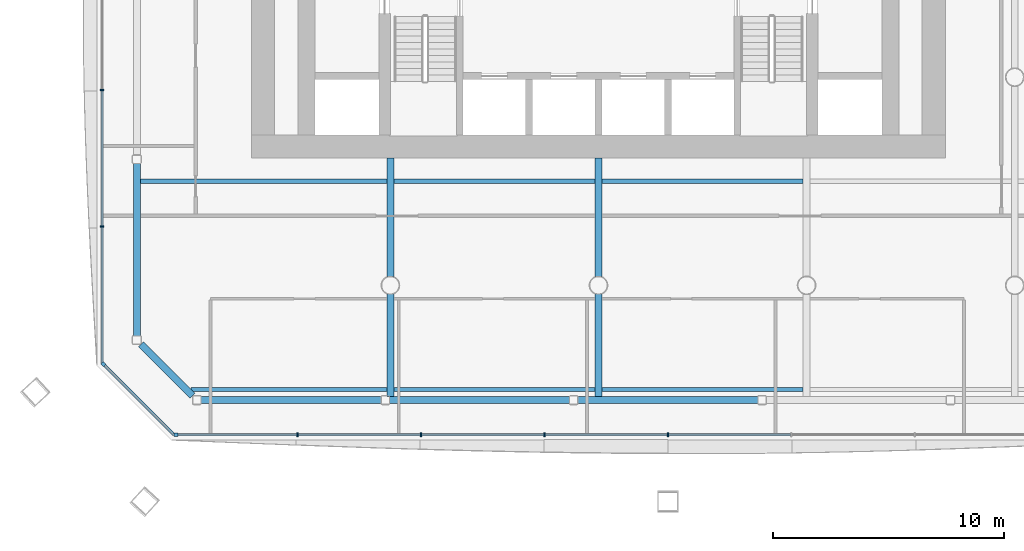
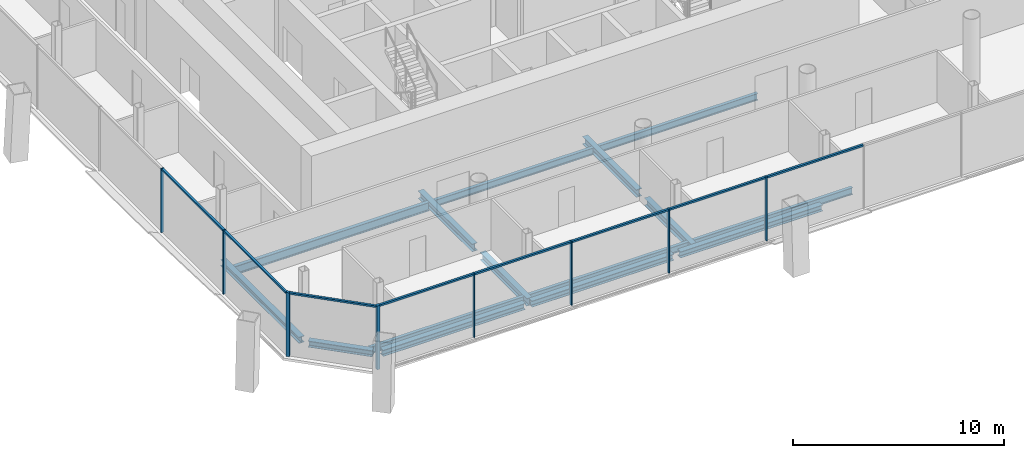
# One storey, part 3 of 19: 16 members, 15 beams, 3 elements without a shape of their own.
"""IFC4 building model written with IfcOpenShell, lengths in metres."""

from ifc_helpers import new_model, si_unit, direction, frame, origin, origin_2d, place, context, subcontext, project, spatial, rectangle, i_section, extrude, material, material_profile, profile_set, type_object, element, aggregate, save


model = new_model("IFC4")

# Units and contexts
model_context = context("Model", 3, precision=1e-05, world=origin(), true_north=direction((0.0, 1.0)))
body_context = subcontext(model_context, "Body", "Model", "MODEL_VIEW")
ifc_project = project(units=[si_unit("LENGTHUNIT", "METRE"), si_unit("AREAUNIT", "SQUARE_METRE"), si_unit("VOLUMEUNIT", "CUBIC_METRE"), si_unit("PLANEANGLEUNIT", "RADIAN"), si_unit("MASSUNIT", "GRAM", prefix="KILO")], contexts=[model_context])

# Site, building, storey
site_placement = place(None, origin())
site = spatial("IfcSite", under=ifc_project, at=site_placement, CompositionType="ELEMENT")
building_placement = place(site_placement, origin())
building = spatial("IfcBuilding", under=site, at=building_placement, Name="Tskaro Facet Tower", CompositionType="ELEMENT")
storey_placement = place(building_placement, frame((0.0, 0.0, 89.39990234375)))
storey = spatial("IfcBuildingStorey", under=building, at=storey_placement, Name="L21", CompositionType="ELEMENT", Elevation=89.39990234375)

# Curtain wall, member
ifc_material_1 = material(Name="Bronze anodised aluminium 6063-T6", Category="aluminium")
curtain_wall_type = type_object("IfcCurtainWallType", Name="Bronze office curtain wall (FW1)", PredefinedType="NOTDEFINED", material=ifc_material_1)
curtain_wall_1_placement = place(storey_placement, origin())
curtain_wall_1 = element("IfcCurtainWall", 1, at=curtain_wall_1_placement, inside=storey, type_object=curtain_wall_type, Name="FW1 south facet L21", PredefinedType="NOTDEFINED")
ifc_material_profile_1 = material_profile(ifc_material_1, rectangle(XDim=0.159912109375, YDim=0.159912109375, at=origin_2d()), Name="Corner post 160x160")
ifc_profile_set_1 = profile_set([ifc_material_profile_1], Name="Bronze anodised aluminium 6063-T6")
member_type_1 = type_object("IfcMemberType", Name="FW1 bronze corner post 160x160", PredefinedType="MULLION", material=ifc_profile_set_1)
member_1_placement = place(storey_placement, frame((-18.26806640625, -24.462890625, 0.0), z_axis=(0.0, 0.0, 1.0), x_axis=(1.0, 0.0, 0.0)))
member_1 = element("IfcMember", 2, at=member_1_placement, type_object=member_type_1, Name="FW1 south corner post", PredefinedType="MULLION", context=body_context, shape_type="SweptSolid", body=[
    extrude(rectangle(XDim=0.159912109375, YDim=0.159912109375, at=origin_2d()), origin(), (0.0, 0.0, 1.0), 3.7001953125),
])

curtain_wall_2_placement = place(storey_placement, origin())
curtain_wall_2 = element("IfcCurtainWall", 3, at=curtain_wall_2_placement, inside=storey, type_object=curtain_wall_type, Name="FW1 south-west facet L21", PredefinedType="NOTDEFINED")
member_2_placement = place(storey_placement, frame((-21.406494140625, -21.404541015625, 0.0), z_axis=(0.0, 0.0, 1.0), x_axis=(0.707106781187, -0.707106781187, 0.0)))
member_2 = element("IfcMember", 4, at=member_2_placement, type_object=member_type_1, Name="FW1 south-west corner post", PredefinedType="MULLION", context=body_context, shape_type="SweptSolid", body=[
    extrude(rectangle(XDim=0.159912109375, YDim=0.159912109375, at=origin_2d()), origin(), (0.0, 0.0, 1.0), 3.7001953125),
])

# Member
ifc_material_profile_2 = material_profile(ifc_material_1, rectangle(XDim=0.06005859375, YDim=0.159912109375, at=origin_2d()), Name="Mullion 60x160")
ifc_profile_set_2 = profile_set([ifc_material_profile_2], Name="Bronze anodised aluminium 6063-T6")
member_type_2 = type_object("IfcMemberType", Name="FW1 bronze mullion 60x160", PredefinedType="MULLION", material=ifc_profile_set_2)
member_3_placement = place(storey_placement, frame((-13.010986328125, -24.462890625, 0.0), z_axis=(0.0, 0.0, 1.0), x_axis=(1.0, 0.0, 0.0)))
member_3 = element("IfcMember", 5, at=member_3_placement, type_object=member_type_2, Name="FW1 south mullion 1", PredefinedType="MULLION", context=body_context, shape_type="SweptSolid", body=[
    extrude(rectangle(XDim=0.06005859375, YDim=0.159912109375, at=origin_2d()), origin(), (0.0, 0.0, 1.0), 3.7001953125),
])

member_4_placement = place(storey_placement, frame((-7.674072265625, -24.462890625, 0.0), z_axis=(0.0, 0.0, 1.0), x_axis=(1.0, 0.0, 0.0)))
member_4 = element("IfcMember", 6, at=member_4_placement, type_object=member_type_2, Name="FW1 south mullion 2", PredefinedType="MULLION", context=body_context, shape_type="SweptSolid", body=[
    extrude(rectangle(XDim=0.06005859375, YDim=0.159912109375, at=origin_2d()), origin(), (0.0, 0.0, 1.0), 3.7001953125),
])

member_5_placement = place(storey_placement, frame((-2.3369140625, -24.462890625, 0.0), z_axis=(0.0, 0.0, 1.0), x_axis=(1.0, 0.0, 0.0)))
member_5 = element("IfcMember", 7, at=member_5_placement, type_object=member_type_2, Name="FW1 south mullion 3", PredefinedType="MULLION", context=body_context, shape_type="SweptSolid", body=[
    extrude(rectangle(XDim=0.06005859375, YDim=0.159912109375, at=origin_2d()), origin(), (0.0, 0.0, 1.0), 3.7001953125),
])

member_6_placement = place(storey_placement, frame((3.0, -24.462890625, 0.0), z_axis=(0.0, 0.0, 1.0), x_axis=(1.0, 0.0, 0.0)))
member_6 = element("IfcMember", 8, at=member_6_placement, type_object=member_type_2, Name="FW1 south mullion 4", PredefinedType="MULLION", context=body_context, shape_type="SweptSolid", body=[
    extrude(rectangle(XDim=0.06005859375, YDim=0.159912109375, at=origin_2d()), origin(), (0.0, 0.0, 1.0), 3.7001953125),
])

# Curtain wall, members
curtain_wall_3_placement = place(storey_placement, origin())
curtain_wall_3 = element("IfcCurtainWall", 9, at=curtain_wall_3_placement, inside=storey, type_object=curtain_wall_type, Name="FW1 west facet L21", PredefinedType="NOTDEFINED")
member_7_placement = place(storey_placement, frame((-21.462890625, -9.55908203125, 0.0), z_axis=(0.0, 0.0, 1.0), x_axis=(0.0, -1.0, 0.0)))
member_7 = element("IfcMember", 10, at=member_7_placement, type_object=member_type_2, Name="FW1 west mullion 5", PredefinedType="MULLION", context=body_context, shape_type="SweptSolid", body=[
    extrude(rectangle(XDim=0.06005859375, YDim=0.159912109375, at=origin_2d()), origin(), (0.0, 0.0, 1.0), 3.7001953125),
])
member_8_placement = place(storey_placement, frame((-21.462890625, -15.45361328125, 0.0), z_axis=(0.0, 0.0, 1.0), x_axis=(0.0, -1.0, 0.0)))
member_8 = element("IfcMember", 11, at=member_8_placement, type_object=member_type_2, Name="FW1 west mullion 6", PredefinedType="MULLION", context=body_context, shape_type="SweptSolid", body=[
    extrude(rectangle(XDim=0.06005859375, YDim=0.159912109375, at=origin_2d()), origin(), (0.0, 0.0, 1.0), 3.7001953125),
])

# Member
ifc_material_profile_3 = material_profile(ifc_material_1, rectangle(XDim=0.1201171875, YDim=0.10009765625, at=origin_2d()), Name="Transom 120x100")
ifc_profile_set_3 = profile_set([ifc_material_profile_3], Name="Bronze anodised aluminium 6063-T6")
member_type_3 = type_object("IfcMemberType", Name="FW1 bronze transom 120x100", PredefinedType="USERDEFINED", material=ifc_profile_set_3)
member_9_placement = place(storey_placement, frame((-18.18798828125, -24.462890625, 3.650146484375), z_axis=(1.0, 0.0, 0.0), x_axis=(0.0, 1.0, 0.0)))
member_9 = element("IfcMember", 12, at=member_9_placement, type_object=member_type_3, Name="FW1 south transom 1.1", ObjectType="TRANSOM", PredefinedType="USERDEFINED", context=body_context, shape_type="SweptSolid", body=[
    extrude(rectangle(XDim=0.1201171875, YDim=0.10009765625, at=origin_2d()), origin(), (0.0, 0.0, 1.0), 5.14697265625),
])

member_10_placement = place(storey_placement, frame((-12.98095703125, -24.462890625, 3.650146484375), z_axis=(1.0, 0.0, 0.0), x_axis=(0.0, 1.0, 0.0)))
member_10 = element("IfcMember", 13, at=member_10_placement, type_object=member_type_3, Name="FW1 south transom 2.1", ObjectType="TRANSOM", PredefinedType="USERDEFINED", context=body_context, shape_type="SweptSolid", body=[
    extrude(rectangle(XDim=0.1201171875, YDim=0.10009765625, at=origin_2d()), origin(), (0.0, 0.0, 1.0), 5.27685546875),
])

member_11_placement = place(storey_placement, frame((-7.64404296875, -24.462890625, 3.650146484375), z_axis=(1.0, 0.0, 0.0), x_axis=(0.0, 1.0, 0.0)))
member_11 = element("IfcMember", 14, at=member_11_placement, type_object=member_type_3, Name="FW1 south transom 3.1", ObjectType="TRANSOM", PredefinedType="USERDEFINED", context=body_context, shape_type="SweptSolid", body=[
    extrude(rectangle(XDim=0.1201171875, YDim=0.10009765625, at=origin_2d()), origin(), (0.0, 0.0, 1.0), 5.277099609375),
])

member_12_placement = place(storey_placement, frame((-2.306884765625, -24.462890625, 3.650146484375), z_axis=(1.0, 0.0, 0.0), x_axis=(0.0, 1.0, 0.0)))
member_12 = element("IfcMember", 15, at=member_12_placement, type_object=member_type_3, Name="FW1 south transom 4.1", ObjectType="TRANSOM", PredefinedType="USERDEFINED", context=body_context, shape_type="SweptSolid", body=[
    extrude(rectangle(XDim=0.1201171875, YDim=0.10009765625, at=origin_2d()), origin(), (0.0, 0.0, 1.0), 5.27685546875),
])

member_13_placement = place(storey_placement, frame((3.030029296875, -24.462890625, 3.650146484375), z_axis=(1.0, 0.0, 0.0), x_axis=(0.0, 1.0, 0.0)))
member_13 = element("IfcMember", 16, at=member_13_placement, type_object=member_type_3, Name="FW1 south transom 5.1", ObjectType="TRANSOM", PredefinedType="USERDEFINED", context=body_context, shape_type="SweptSolid", body=[
    extrude(rectangle(XDim=0.1201171875, YDim=0.10009765625, at=origin_2d()), origin(), (0.0, 0.0, 1.0), 5.27685546875),
])

aggregate(curtain_wall_1, [member_1, member_3, member_4, member_5, member_6, member_9, member_10, member_11, member_12, member_13])

member_14_placement = place(storey_placement, frame((-21.462890625, -9.589111328125, 3.650146484375), z_axis=(0.0, -1.0, 0.0), x_axis=(1.0, 0.0, 0.0)))
member_14 = element("IfcMember", 17, at=member_14_placement, type_object=member_type_3, Name="FW1 west transom 6.1", ObjectType="TRANSOM", PredefinedType="USERDEFINED", context=body_context, shape_type="SweptSolid", body=[
    extrude(rectangle(XDim=0.1201171875, YDim=0.10009765625, at=origin_2d()), origin(), (0.0, 0.0, 1.0), 5.83447265625),
])

member_15_placement = place(storey_placement, frame((-21.462890625, -15.483642578125, 3.650146484375), z_axis=(0.0, -1.0, 0.0), x_axis=(1.0, 0.0, 0.0)))
member_15 = element("IfcMember", 18, at=member_15_placement, type_object=member_type_3, Name="FW1 west transom 7.1", ObjectType="TRANSOM", PredefinedType="USERDEFINED", context=body_context, shape_type="SweptSolid", body=[
    extrude(rectangle(XDim=0.1201171875, YDim=0.10009765625, at=origin_2d()), origin(), (0.0, 0.0, 1.0), 5.8642578125),
])

aggregate(curtain_wall_3, [member_7, member_8, member_14, member_15])

member_16_placement = place(storey_placement, frame((-21.349853515625, -21.461181640625, 3.650146484375), z_axis=(0.7071355353, -0.707078025904, 0.0), x_axis=(0.707078025904, 0.7071355353, 0.0)))
member_16 = element("IfcMember", 19, at=member_16_placement, type_object=member_type_3, Name="FW1 south-west transom 1.1", ObjectType="TRANSOM", PredefinedType="USERDEFINED", context=body_context, shape_type="SweptSolid", body=[
    extrude(rectangle(XDim=0.1201171875, YDim=0.10009765625, at=origin_2d()), origin(), (0.0, 0.0, 1.0), 4.2451171875),
])

aggregate(curtain_wall_2, [member_2, member_16])

# Beams
ifc_material_2 = material(Name="Steel S355J2", Category="steel")
ifc_material_profile_4 = material_profile(ifc_material_2, i_section(OverallWidth=0.300048828125, OverallDepth=0.360107421875, WebThickness=0.012451171875, FlangeThickness=0.0224609375, FilletRadius=0.027099609375, at=origin_2d()), Name="HE 360 B")
ifc_profile_set_4 = profile_set([ifc_material_profile_4], Name="Steel S355J2")
beam_type_1 = type_object("IfcBeamType", Name="HE 360 B ring beam", PredefinedType="BEAM", material=ifc_profile_set_4)
beam_1_placement = place(storey_placement, frame((-17.18408203125, -22.965087890625, -0.31982421875), z_axis=(1.0, 0.0, 0.0), x_axis=(0.0, 1.0, 0.0)))
element("IfcBeam", 20, at=beam_1_placement, inside=storey, type_object=beam_type_1, Name="HE 360 B EB1-2", PredefinedType="BEAM", context=body_context, shape_type="SweptSolid", body=[
    extrude(i_section(OverallWidth=0.300048828125, OverallDepth=0.360107421875, WebThickness=0.012451171875, FlangeThickness=0.0224609375, FilletRadius=0.027099609375, at=origin_2d()), origin(), (0.0, 0.0, 1.0), 7.7861328125),
])
beam_2_placement = place(storey_placement, frame((-9.0380859375, -22.965087890625, -0.31982421875), z_axis=(1.0, 0.0, 0.0), x_axis=(0.0, 1.0, 0.0)))
element("IfcBeam", 21, at=beam_2_placement, inside=storey, type_object=beam_type_1, Name="HE 360 B EB2-2", PredefinedType="BEAM", context=body_context, shape_type="SweptSolid", body=[
    extrude(i_section(OverallWidth=0.300048828125, OverallDepth=0.360107421875, WebThickness=0.012451171875, FlangeThickness=0.0224609375, FilletRadius=0.027099609375, at=origin_2d()), origin(), (0.0, 0.0, 1.0), 7.78515625),
])
beam_3_placement = place(storey_placement, frame((-0.89306640625, -22.965087890625, -0.31982421875), z_axis=(1.0, 0.0, 0.0), x_axis=(0.0, 1.0, 0.0)))
element("IfcBeam", 22, at=beam_3_placement, inside=storey, type_object=beam_type_1, Name="HE 360 B EB3-2", PredefinedType="BEAM", context=body_context, shape_type="SweptSolid", body=[
    extrude(i_section(OverallWidth=0.300048828125, OverallDepth=0.360107421875, WebThickness=0.012451171875, FlangeThickness=0.0224609375, FilletRadius=0.027099609375, at=origin_2d()), origin(), (0.0, 0.0, 1.0), 7.7861328125),
])
beam_4_placement = place(storey_placement, frame((-19.965087890625, -12.73291015625, -0.31982421875), z_axis=(0.0, -1.0, 0.0), x_axis=(1.0, 0.0, 0.0)))
element("IfcBeam", 23, at=beam_4_placement, inside=storey, type_object=beam_type_1, Name="HE 360 B EB23-2", PredefinedType="BEAM", context=body_context, shape_type="SweptSolid", body=[
    extrude(i_section(OverallWidth=0.300048828125, OverallDepth=0.360107421875, WebThickness=0.012451171875, FlangeThickness=0.0224609375, FilletRadius=0.027099609375, at=origin_2d()), origin(), (0.0, 0.0, 1.0), 7.451171875),
])
beam_5_placement = place(storey_placement, frame((-19.779052734375, -20.5498046875, -0.31982421875), z_axis=(0.707106781187, -0.707106781187, 0.0), x_axis=(0.707106781187, 0.707106781187, 0.0)))
element("IfcBeam", 24, at=beam_5_placement, inside=storey, type_object=beam_type_1, Name="HE 360 B EB24-2", PredefinedType="BEAM", context=body_context, shape_type="SweptSolid", body=[
    extrude(i_section(OverallWidth=0.300048828125, OverallDepth=0.360107421875, WebThickness=0.012451171875, FlangeThickness=0.0224609375, FilletRadius=0.027099609375, at=origin_2d()), origin(), (0.0, 0.0, 1.0), 3.152587890625),
])
ifc_material_profile_5 = material_profile(ifc_material_2, i_section(OverallWidth=0.300048828125, OverallDepth=0.43994140625, WebThickness=0.011474609375, FlangeThickness=0.02099609375, FilletRadius=0.027099609375, at=origin_2d()), Name="HE 450 A")
ifc_profile_set_5 = profile_set([ifc_material_profile_5], Name="Steel S355J2")
beam_type_2 = type_object("IfcBeamType", Name="HE 450 A girder", PredefinedType="BEAM", material=ifc_profile_set_5)
beam_6_placement = place(storey_placement, frame((-9.0, -22.81494140625, -0.35986328125), z_axis=(0.0, 1.0, 0.0), x_axis=(-1.0, 0.0, 0.0)))
element("IfcBeam", 25, at=beam_6_placement, inside=storey, type_object=beam_type_2, Name="HE 450 A GB3-1-2", PredefinedType="BEAM", context=body_context, shape_type="SweptSolid", body=[
    extrude(i_section(OverallWidth=0.300048828125, OverallDepth=0.43994140625, WebThickness=0.011474609375, FlangeThickness=0.02099609375, FilletRadius=0.027099609375, at=origin_2d()), origin(), (0.0, 0.0, 1.0), 4.4384765625),
])
beam_7_placement = place(storey_placement, frame((-9.0, -17.62353515625, -0.35986328125), z_axis=(0.0, 1.0, 0.0), x_axis=(-1.0, 0.0, 0.0)))
element("IfcBeam", 26, at=beam_7_placement, inside=storey, type_object=beam_type_2, Name="HE 450 A GB3-2-2", PredefinedType="BEAM", context=body_context, shape_type="SweptSolid", body=[
    extrude(i_section(OverallWidth=0.300048828125, OverallDepth=0.43994140625, WebThickness=0.011474609375, FlangeThickness=0.02099609375, FilletRadius=0.027099609375, at=origin_2d()), origin(), (0.0, 0.0, 1.0), 5.12353515625),
])
beam_8_placement = place(storey_placement, frame((0.0, -22.81494140625, -0.35986328125), z_axis=(0.0, 1.0, 0.0), x_axis=(-1.0, 0.0, 0.0)))
element("IfcBeam", 27, at=beam_8_placement, inside=storey, type_object=beam_type_2, Name="HE 450 A GB4-1-2", PredefinedType="BEAM", context=body_context, shape_type="SweptSolid", body=[
    extrude(i_section(OverallWidth=0.300048828125, OverallDepth=0.43994140625, WebThickness=0.011474609375, FlangeThickness=0.02099609375, FilletRadius=0.027099609375, at=origin_2d()), origin(), (0.0, 0.0, 1.0), 4.4384765625),
])
beam_9_placement = place(storey_placement, frame((0.0, -17.62353515625, -0.35986328125), z_axis=(0.0, 1.0, 0.0), x_axis=(-1.0, 0.0, 0.0)))
element("IfcBeam", 28, at=beam_9_placement, inside=storey, type_object=beam_type_2, Name="HE 450 A GB4-2-2", PredefinedType="BEAM", context=body_context, shape_type="SweptSolid", body=[
    extrude(i_section(OverallWidth=0.300048828125, OverallDepth=0.43994140625, WebThickness=0.011474609375, FlangeThickness=0.02099609375, FilletRadius=0.027099609375, at=origin_2d()), origin(), (0.0, 0.0, 1.0), 5.12353515625),
])
ifc_material_profile_6 = material_profile(ifc_material_2, i_section(OverallWidth=0.179931640625, OverallDepth=0.39990234375, WebThickness=0.008544921875, FlangeThickness=0.013427734375, FilletRadius=0.02099609375, at=origin_2d()), Name="IPE 400")
ifc_profile_set_6 = profile_set([ifc_material_profile_6], Name="Steel S355J2")
beam_type_3 = type_object("IfcBeamType", Name="IPE 400 secondary beam", PredefinedType="BEAM", material=ifc_profile_set_6)
beam_10_placement = place(storey_placement, frame((-17.616943359375, -22.5, -0.33984375), z_axis=(1.0, 0.0, 0.0), x_axis=(0.0, 1.0, 0.0)))
element("IfcBeam", 29, at=beam_10_placement, inside=storey, type_object=beam_type_3, Name="IPE 400 SB1a-1-2", PredefinedType="BEAM", context=body_context, shape_type="SweptSolid", body=[
    extrude(i_section(OverallWidth=0.179931640625, OverallDepth=0.39990234375, WebThickness=0.008544921875, FlangeThickness=0.013427734375, FilletRadius=0.02099609375, at=origin_2d()), origin(), (0.0, 0.0, 1.0), 8.467041015625),
])
for number, where, z_axis, x_axis, name in (
    (30, (-8.85009765625, -22.5, -0.33984375), (1.0, 0.0, 0.0), (0.0, 1.0, 0.0), "IPE 400 SB1a-2-2"),
    (31, (0.14990234375, -22.5, -0.33984375), (1.0, 0.0, 0.0), (0.0, 1.0, 0.0), "IPE 400 SB1a-3-2"),
    (32, (-8.85009765625, -13.5, -0.33984375), (1.0, 0.0, 0.0), (0.0, 1.0, 0.0), "IPE 400 SB2a-2-2"),
    (33, (0.14990234375, -13.5, -0.33984375), (1.0, 0.0, 0.0), (0.0, 1.0, 0.0), "IPE 400 SB2a-3-2"),
):
    element("IfcBeam", number, at=place(storey_placement, frame(where, z_axis=z_axis, x_axis=x_axis)), inside=storey, type_object=beam_type_3, Name=name, PredefinedType="BEAM", context=body_context, shape_type="SweptSolid", body=[
        extrude(i_section(OverallWidth=0.179931640625, OverallDepth=0.39990234375, WebThickness=0.008544921875, FlangeThickness=0.013427734375, FilletRadius=0.02099609375, at=origin_2d()), origin(), (0.0, 0.0, 1.0), 8.7001953125),
    ])
ifc_material_profile_7 = material_profile(ifc_material_2, i_section(OverallWidth=0.199951171875, OverallDepth=0.5, WebThickness=0.01025390625, FlangeThickness=0.01611328125, FilletRadius=0.02099609375, at=origin_2d()), Name="IPE 500")
ifc_profile_set_7 = profile_set([ifc_material_profile_7], Name="Steel S355J2")
beam_type_4 = type_object("IfcBeamType", Name="IPE 500 long secondary beam", PredefinedType="BEAM", material=ifc_profile_set_7)
beam_11_placement = place(storey_placement, frame((-19.81494140625, -13.5, -0.389892578125), z_axis=(1.0, 0.0, 0.0), x_axis=(0.0, 1.0, 0.0)))
element("IfcBeam", 34, at=beam_11_placement, inside=storey, type_object=beam_type_4, Name="IPE 500 LSB2a-1-2", PredefinedType="BEAM", context=body_context, shape_type="SweptSolid", body=[
    extrude(i_section(OverallWidth=0.199951171875, OverallDepth=0.5, WebThickness=0.01025390625, FlangeThickness=0.01611328125, FilletRadius=0.02099609375, at=origin_2d()), origin(), (0.0, 0.0, 1.0), 10.6650390625),
])

save(model, "model.ifc")
